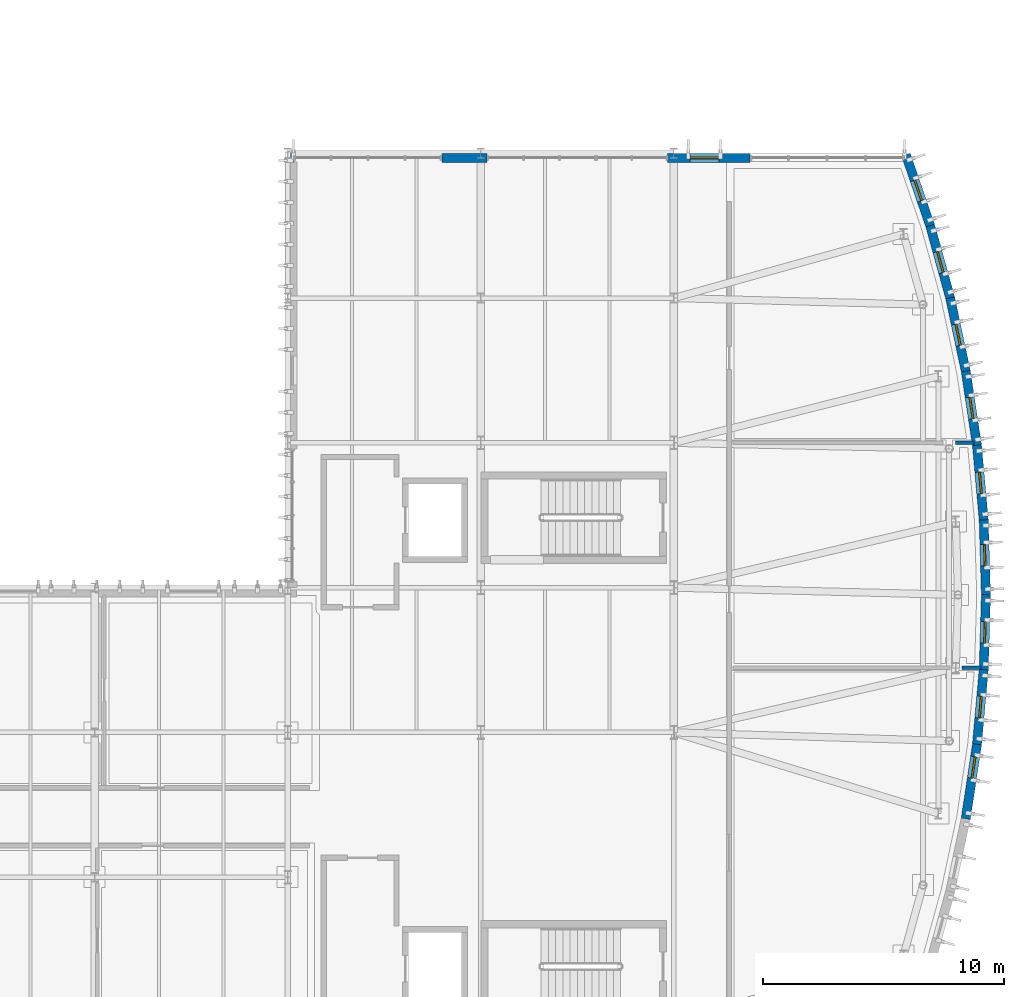
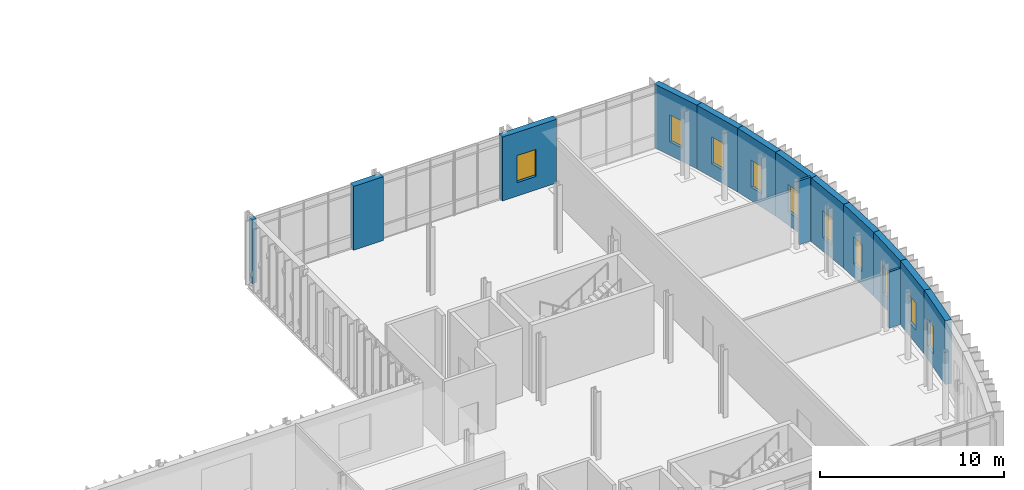
# One storey, part 76 of 100: 14 walls, 10 windows, 10 openings.
"""IFC4 building model written with IfcOpenShell, lengths in metres."""

from ifc_helpers import new_model, si_unit, direction, frame, frame_2d, origin, place, context, subcontext, project, spatial, rectangle, extrude, material, layer, layer_set, type_object, element, fill, save


model = new_model("IFC4")

# Units and contexts
model_context = context("Model", 3, precision=1e-05, world=origin(), true_north=direction((0.0, 1.0)))
body_context = subcontext(model_context, "Body", "Model", "MODEL_VIEW")
ifc_project = project(units=[si_unit("LENGTHUNIT", "METRE"), si_unit("AREAUNIT", "SQUARE_METRE"), si_unit("VOLUMEUNIT", "CUBIC_METRE"), si_unit("PLANEANGLEUNIT", "RADIAN"), si_unit("MASSUNIT", "GRAM", prefix="KILO")], contexts=[model_context])

# Site, building, storey
site_placement = place(None, origin())
site = spatial("IfcSite", under=ifc_project, at=site_placement, CompositionType="ELEMENT")
building_placement = place(site_placement, origin())
building = spatial("IfcBuilding", under=site, at=building_placement, Name="Cymarion Research Institute", CompositionType="ELEMENT")
storey_placement = place(building_placement, frame((0.0, 0.0, 9.300048828125)))
storey = spatial("IfcBuildingStorey", under=building, at=storey_placement, Name="L02", CompositionType="ELEMENT", Elevation=9.300048828125)

# Wall, opening, window
ifc_material_1 = material(Name="Precast concrete C40/50", Category="concrete")
ifc_layer_1 = layer(ifc_material_1, 0.3798828125)
ifc_layer_set_1 = layer_set([ifc_layer_1], Name="Precast concrete C40/50")
wall_type_1 = type_object("IfcWallType", Name="EXTERIOR WALL EW-PC380 380MM", PredefinedType="SOLIDWALL", material=ifc_layer_set_1)
wall_1_placement = place(storey_placement, frame((166.698486328125, 13.91650390625, 0.0), z_axis=(0.0, 0.0, 1.0), x_axis=(0.149218139282, 0.988804301624, 0.0)))
wall_1 = element("IfcWall", 1, at=wall_1_placement, inside=storey, type_object=wall_type_1, Name="L02 V1 exterior wall EW-PC380 #122", PredefinedType="SOLIDWALL", context=body_context, shape_type="SweptSolid", body=[
    extrude(rectangle(XDim=3.128173828125, YDim=0.3798828125, at=frame_2d((1.56396484375, 0.0))), origin(), (0.0, 0.0, 1.0), 4.25),
])
opening_1_placement = place(wall_1_placement, frame((1.7060546875, 0.0, 0.89990234375)))
opening_1 = element("IfcOpeningElement", 2, at=opening_1_placement, cuts=wall_1, Name="Opening W24", PredefinedType="OPENING", context=body_context, shape_type="SweptSolid", body=[
    extrude(rectangle(XDim=0.89990234375, YDim=1.800048828125, at=frame_2d((0.449951171875, 0.89990234375))), frame((0.0, 0.199951171875, 0.0), z_axis=(0.0, -1.0, 0.0), x_axis=(1.0, 0.0, 0.0)), (0.0, 0.0, 1.0), 0.39990234375),
])
ifc_material_2 = material(Name="Thermally broken aluminium window with Low-E glazing", Category="aluminium")
window_type_1 = type_object("IfcWindowType", Name="THERMALLY BROKEN ALUMINIUM WINDOW W24 900X1800", PartitioningType="SINGLE_PANEL", PredefinedType="WINDOW", material=ifc_material_2)
window_1_placement = place(opening_1_placement, origin())
window_1 = element("IfcWindow", 3, at=window_1_placement, inside=storey, type_object=window_type_1, Name="L02 V1 facade window W24 #230", OverallHeight=1.800048828125, OverallWidth=0.89990234375, PartitioningType="SINGLE_PANEL", PredefinedType="WINDOW", context=body_context, shape_type="SweptSolid", body=[
    extrude(rectangle(XDim=0.89990234375, YDim=1.800048828125, at=frame_2d((0.449951171875, 0.89990234375))), frame((0.0, 0.030029296875, 0.0), z_axis=(0.0, -1.0, 0.0), x_axis=(1.0, 0.0, 0.0)), (0.0, 0.0, 1.0), 0.06005859375),
])
fill(opening_1, window_1)

wall_2_placement = place(storey_placement, frame((167.1630859375, 16.986572265625, 0.0), z_axis=(0.0, 0.0, 1.0), x_axis=(0.089747627339, 0.995964539222, 0.0)))
wall_2 = element("IfcWall", 4, at=wall_2_placement, inside=storey, type_object=wall_type_1, Name="L02 V1 exterior wall EW-PC380 #123", PredefinedType="SOLIDWALL", context=body_context, shape_type="SweptSolid", body=[
    extrude(rectangle(XDim=3.12841796875, YDim=0.3798828125, at=frame_2d((1.564208984375, 0.0))), origin(), (0.0, 0.0, 1.0), 4.25),
])
opening_2_placement = place(wall_2_placement, frame((1.114013671875, 0.0, 0.89990234375)))
opening_2 = element("IfcOpeningElement", 5, at=opening_2_placement, cuts=wall_2, Name="Opening W24", PredefinedType="OPENING", context=body_context, shape_type="SweptSolid", body=[
    extrude(rectangle(XDim=0.89990234375, YDim=1.800048828125, at=frame_2d((0.449951171875, 0.89990234375))), frame((0.0, 0.199951171875, 0.0), z_axis=(0.0, -1.0, 0.0), x_axis=(1.0, 0.0, 0.0)), (0.0, 0.0, 1.0), 0.39990234375),
])
window_2_placement = place(opening_2_placement, origin())
window_2 = element("IfcWindow", 6, at=window_2_placement, inside=storey, type_object=window_type_1, Name="L02 V1 facade window W24 #231", OverallHeight=1.800048828125, OverallWidth=0.89990234375, PartitioningType="SINGLE_PANEL", PredefinedType="WINDOW", context=body_context, shape_type="SweptSolid", body=[
    extrude(rectangle(XDim=0.89990234375, YDim=1.800048828125, at=frame_2d((0.449951171875, 0.89990234375))), frame((0.0, 0.030029296875, 0.0), z_axis=(0.0, -1.0, 0.0), x_axis=(1.0, 0.0, 0.0)), (0.0, 0.0, 1.0), 0.06005859375),
])
fill(opening_2, window_2)

wall_3_placement = place(storey_placement, frame((167.44287109375, 20.078857421875, 0.0), z_axis=(0.0, 0.0, 1.0), x_axis=(0.02996779607, 0.999550864738, 0.0)))
wall_3 = element("IfcWall", 7, at=wall_3_placement, inside=storey, type_object=wall_type_1, Name="L02 V1 exterior wall EW-PC380 #124", PredefinedType="SOLIDWALL", context=body_context, shape_type="SweptSolid", body=[
    extrude(rectangle(XDim=3.12841796875, YDim=0.3798828125, at=frame_2d((1.564208984375, 0.0))), origin(), (0.0, 0.0, 1.0), 4.25),
])
opening_3_placement = place(wall_3_placement, frame((1.114013671875, 0.0, 0.89990234375)))
opening_3 = element("IfcOpeningElement", 8, at=opening_3_placement, cuts=wall_3, Name="Opening W24", PredefinedType="OPENING", context=body_context, shape_type="SweptSolid", body=[
    extrude(rectangle(XDim=0.89990234375, YDim=1.800048828125, at=frame_2d((0.449951171875, 0.89990234375))), frame((0.0, 0.199951171875, 0.0), z_axis=(0.0, -1.0, 0.0), x_axis=(1.0, 0.0, 0.0)), (0.0, 0.0, 1.0), 0.39990234375),
])
window_3_placement = place(opening_3_placement, origin())
window_3 = element("IfcWindow", 9, at=window_3_placement, inside=storey, type_object=window_type_1, Name="L02 V1 facade window W24 #232", OverallHeight=1.800048828125, OverallWidth=0.89990234375, PartitioningType="SINGLE_PANEL", PredefinedType="WINDOW", context=body_context, shape_type="SweptSolid", body=[
    extrude(rectangle(XDim=0.89990234375, YDim=1.800048828125, at=frame_2d((0.449951171875, 0.89990234375))), frame((0.0, 0.030029296875, 0.0), z_axis=(0.0, -1.0, 0.0), x_axis=(1.0, 0.0, 0.0)), (0.0, 0.0, 1.0), 0.06005859375),
])
fill(opening_3, window_3)

wall_4_placement = place(storey_placement, frame((167.536865234375, 23.182373046875, 0.0), z_axis=(0.0, 0.0, 1.0), x_axis=(-0.029970133922, 0.999550794644, 0.0)))
wall_4 = element("IfcWall", 10, at=wall_4_placement, inside=storey, type_object=wall_type_1, Name="L02 V1 exterior wall EW-PC380 #125", PredefinedType="SOLIDWALL", context=body_context, shape_type="SweptSolid", body=[
    extrude(rectangle(XDim=3.128173828125, YDim=0.3798828125, at=frame_2d((1.56396484375, 0.0))), origin(), (0.0, 0.0, 1.0), 4.25),
])
opening_4_placement = place(wall_4_placement, frame((1.214111328125, 0.0, 0.89990234375)))
opening_4 = element("IfcOpeningElement", 11, at=opening_4_placement, cuts=wall_4, Name="Opening W24", PredefinedType="OPENING", context=body_context, shape_type="SweptSolid", body=[
    extrude(rectangle(XDim=0.89990234375, YDim=1.800048828125, at=frame_2d((0.449951171875, 0.89990234375))), frame((0.0, 0.199951171875, 0.0), z_axis=(0.0, -1.0, 0.0), x_axis=(1.0, 0.0, 0.0)), (0.0, 0.0, 1.0), 0.39990234375),
])
window_4_placement = place(opening_4_placement, origin())
window_4 = element("IfcWindow", 12, at=window_4_placement, inside=storey, type_object=window_type_1, Name="L02 V1 facade window W24 #233", OverallHeight=1.800048828125, OverallWidth=0.89990234375, PartitioningType="SINGLE_PANEL", PredefinedType="WINDOW", context=body_context, shape_type="SweptSolid", body=[
    extrude(rectangle(XDim=0.89990234375, YDim=1.800048828125, at=frame_2d((0.449951171875, 0.89990234375))), frame((0.0, 0.030029296875, 0.0), z_axis=(0.0, -1.0, 0.0), x_axis=(1.0, 0.0, 0.0)), (0.0, 0.0, 1.0), 0.06005859375),
])
fill(opening_4, window_4)

wall_5_placement = place(storey_placement, frame((167.44482421875, 26.285888671875, 0.0), z_axis=(0.0, 0.0, 1.0), x_axis=(-0.089747627339, 0.995964539222, 0.0)))
wall_5 = element("IfcWall", 13, at=wall_5_placement, inside=storey, type_object=wall_type_1, Name="L02 V1 exterior wall EW-PC380 #126", PredefinedType="SOLIDWALL", context=body_context, shape_type="SweptSolid", body=[
    extrude(rectangle(XDim=3.12841796875, YDim=0.3798828125, at=frame_2d((1.564208984375, 0.0))), origin(), (0.0, 0.0, 1.0), 4.25),
])
opening_5_placement = place(wall_5_placement, frame((1.114013671875, 0.0, 0.89990234375)))
opening_5 = element("IfcOpeningElement", 14, at=opening_5_placement, cuts=wall_5, Name="Opening W24", PredefinedType="OPENING", context=body_context, shape_type="SweptSolid", body=[
    extrude(rectangle(XDim=0.89990234375, YDim=1.800048828125, at=frame_2d((0.449951171875, 0.89990234375))), frame((0.0, 0.199951171875, 0.0), z_axis=(0.0, -1.0, 0.0), x_axis=(1.0, 0.0, 0.0)), (0.0, 0.0, 1.0), 0.39990234375),
])
window_5_placement = place(opening_5_placement, origin())
window_5 = element("IfcWindow", 15, at=window_5_placement, inside=storey, type_object=window_type_1, Name="L02 V1 facade window W24 #234", OverallHeight=1.800048828125, OverallWidth=0.89990234375, PartitioningType="SINGLE_PANEL", PredefinedType="WINDOW", context=body_context, shape_type="SweptSolid", body=[
    extrude(rectangle(XDim=0.89990234375, YDim=1.800048828125, at=frame_2d((0.449951171875, 0.89990234375))), frame((0.0, 0.030029296875, 0.0), z_axis=(0.0, -1.0, 0.0), x_axis=(1.0, 0.0, 0.0)), (0.0, 0.0, 1.0), 0.06005859375),
])
fill(opening_5, window_5)

wall_6_placement = place(storey_placement, frame((167.167236328125, 29.37841796875, 0.0), z_axis=(0.0, 0.0, 1.0), x_axis=(-0.149305964746, 0.988791044099, 0.0)))
wall_6 = element("IfcWall", 16, at=wall_6_placement, inside=storey, type_object=wall_type_1, Name="L02 V1 exterior wall EW-PC380 #127", PredefinedType="SOLIDWALL", context=body_context, shape_type="SweptSolid", body=[
    extrude(rectangle(XDim=3.128173828125, YDim=0.3798828125, at=frame_2d((1.56396484375, 0.0))), origin(), (0.0, 0.0, 1.0), 4.25),
])
opening_6_placement = place(wall_6_placement, frame((1.132080078125, 0.0, 0.89990234375)))
opening_6 = element("IfcOpeningElement", 17, at=opening_6_placement, cuts=wall_6, Name="Opening W24", PredefinedType="OPENING", context=body_context, shape_type="SweptSolid", body=[
    extrude(rectangle(XDim=0.89990234375, YDim=1.800048828125, at=frame_2d((0.449951171875, 0.89990234375))), frame((0.0, 0.199951171875, 0.0), z_axis=(0.0, -1.0, 0.0), x_axis=(1.0, 0.0, 0.0)), (0.0, 0.0, 1.0), 0.39990234375),
])
window_6_placement = place(opening_6_placement, origin())
window_6 = element("IfcWindow", 18, at=window_6_placement, inside=storey, type_object=window_type_1, Name="L02 V1 facade window W24 #235", OverallHeight=1.800048828125, OverallWidth=0.89990234375, PartitioningType="SINGLE_PANEL", PredefinedType="WINDOW", context=body_context, shape_type="SweptSolid", body=[
    extrude(rectangle(XDim=0.89990234375, YDim=1.800048828125, at=frame_2d((0.449951171875, 0.89990234375))), frame((0.0, 0.030029296875, 0.0), z_axis=(0.0, -1.0, 0.0), x_axis=(1.0, 0.0, 0.0)), (0.0, 0.0, 1.0), 0.06005859375),
])
fill(opening_6, window_6)

wall_7_placement = place(storey_placement, frame((166.704833984375, 32.448486328125, 0.0), z_axis=(0.0, 0.0, 1.0), x_axis=(-0.208212486116, 0.978083616377, 0.0)))
wall_7 = element("IfcWall", 19, at=wall_7_placement, inside=storey, type_object=wall_type_1, Name="L02 V1 exterior wall EW-PC380 #128", PredefinedType="SOLIDWALL", context=body_context, shape_type="SweptSolid", body=[
    extrude(rectangle(XDim=3.12841796875, YDim=0.3798828125, at=frame_2d((1.564208984375, 0.0))), origin(), (0.0, 0.0, 1.0), 4.25),
])
opening_7_placement = place(wall_7_placement, frame((1.114013671875, 0.0, 0.89990234375)))
opening_7 = element("IfcOpeningElement", 20, at=opening_7_placement, cuts=wall_7, Name="Opening W24", PredefinedType="OPENING", context=body_context, shape_type="SweptSolid", body=[
    extrude(rectangle(XDim=0.89990234375, YDim=1.800048828125, at=frame_2d((0.449951171875, 0.89990234375))), frame((0.0, 0.199951171875, 0.0), z_axis=(0.0, -1.0, 0.0), x_axis=(1.0, 0.0, 0.0)), (0.0, 0.0, 1.0), 0.39990234375),
])
window_7_placement = place(opening_7_placement, origin())
window_7 = element("IfcWindow", 21, at=window_7_placement, inside=storey, type_object=window_type_1, Name="L02 V1 facade window W24 #236", OverallHeight=1.800048828125, OverallWidth=0.89990234375, PartitioningType="SINGLE_PANEL", PredefinedType="WINDOW", context=body_context, shape_type="SweptSolid", body=[
    extrude(rectangle(XDim=0.89990234375, YDim=1.800048828125, at=frame_2d((0.449951171875, 0.89990234375))), frame((0.0, 0.030029296875, 0.0), z_axis=(0.0, -1.0, 0.0), x_axis=(1.0, 0.0, 0.0)), (0.0, 0.0, 1.0), 0.06005859375),
])
fill(opening_7, window_7)

wall_8_placement = place(storey_placement, frame((166.059326171875, 35.485595703125, 0.0), z_axis=(0.0, 0.0, 1.0), x_axis=(-0.26649659626, 0.963835859564, 0.0)))
wall_8 = element("IfcWall", 22, at=wall_8_placement, inside=storey, type_object=wall_type_1, Name="L02 V1 exterior wall EW-PC380 #129", PredefinedType="SOLIDWALL", context=body_context, shape_type="SweptSolid", body=[
    extrude(rectangle(XDim=3.12841796875, YDim=0.3798828125, at=frame_2d((1.564208984375, 0.0))), origin(), (0.0, 0.0, 1.0), 4.25),
])
opening_8_placement = place(wall_8_placement, frame((1.114013671875, 0.0, 0.89990234375)))
opening_8 = element("IfcOpeningElement", 23, at=opening_8_placement, cuts=wall_8, Name="Opening W24", PredefinedType="OPENING", context=body_context, shape_type="SweptSolid", body=[
    extrude(rectangle(XDim=0.89990234375, YDim=1.800048828125, at=frame_2d((0.449951171875, 0.89990234375))), frame((0.0, 0.199951171875, 0.0), z_axis=(0.0, -1.0, 0.0), x_axis=(1.0, 0.0, 0.0)), (0.0, 0.0, 1.0), 0.39990234375),
])
window_8_placement = place(opening_8_placement, origin())
window_8 = element("IfcWindow", 24, at=window_8_placement, inside=storey, type_object=window_type_1, Name="L02 V1 facade window W24 #237", OverallHeight=1.800048828125, OverallWidth=0.89990234375, PartitioningType="SINGLE_PANEL", PredefinedType="WINDOW", context=body_context, shape_type="SweptSolid", body=[
    extrude(rectangle(XDim=0.89990234375, YDim=1.800048828125, at=frame_2d((0.449951171875, 0.89990234375))), frame((0.0, 0.030029296875, 0.0), z_axis=(0.0, -1.0, 0.0), x_axis=(1.0, 0.0, 0.0)), (0.0, 0.0, 1.0), 0.06005859375),
])
fill(opening_8, window_8)

wall_9_placement = place(storey_placement, frame((165.23291015625, 38.478515625, 0.0), z_axis=(0.0, 0.0, 1.0), x_axis=(-0.323709741108, 0.946156437124, 0.0)))
wall_9 = element("IfcWall", 25, at=wall_9_placement, inside=storey, type_object=wall_type_1, Name="L02 V1 exterior wall EW-PC380 #130", PredefinedType="SOLIDWALL", context=body_context, shape_type="SweptSolid", body=[
    extrude(rectangle(XDim=3.12841796875, YDim=0.3798828125, at=frame_2d((1.564208984375, 0.0))), origin(), (0.0, 0.0, 1.0), 4.25),
])
opening_9_placement = place(wall_9_placement, frame((1.114013671875, 0.0, 0.89990234375)))
opening_9 = element("IfcOpeningElement", 26, at=opening_9_placement, cuts=wall_9, Name="Opening W24", PredefinedType="OPENING", context=body_context, shape_type="SweptSolid", body=[
    extrude(rectangle(XDim=0.89990234375, YDim=1.800048828125, at=frame_2d((0.449951171875, 0.89990234375))), frame((0.0, 0.199951171875, 0.0), z_axis=(0.0, -1.0, 0.0), x_axis=(1.0, 0.0, 0.0)), (0.0, 0.0, 1.0), 0.39990234375),
])
window_9_placement = place(opening_9_placement, origin())
window_9 = element("IfcWindow", 27, at=window_9_placement, inside=storey, type_object=window_type_1, Name="L02 V1 facade window W24 #238", OverallHeight=1.800048828125, OverallWidth=0.89990234375, PartitioningType="SINGLE_PANEL", PredefinedType="WINDOW", context=body_context, shape_type="SweptSolid", body=[
    extrude(rectangle(XDim=0.89990234375, YDim=1.800048828125, at=frame_2d((0.449951171875, 0.89990234375))), frame((0.0, 0.030029296875, 0.0), z_axis=(0.0, -1.0, 0.0), x_axis=(1.0, 0.0, 0.0)), (0.0, 0.0, 1.0), 0.06005859375),
])
fill(opening_9, window_9)

wall_10_placement = place(storey_placement, frame((157.759765625, 41.31005859375, 0.0), z_axis=(0.0, 0.0, 1.0), x_axis=(-1.0, 0.0, 0.0)))
wall_10 = element("IfcWall", 28, at=wall_10_placement, inside=storey, type_object=wall_type_1, Name="L02 V1 facade pier wall EW-PC380 #131", PredefinedType="SOLIDWALL", context=body_context, shape_type="SweptSolid", body=[
    extrude(rectangle(XDim=3.419677734375, YDim=0.3798828125, at=frame_2d((1.7099609375, 0.0))), origin(), (0.0, 0.0, 1.0), 4.25),
])
opening_10_placement = place(wall_10_placement, frame((1.2900390625, 0.0, 0.89990234375)))
opening_10 = element("IfcOpeningElement", 29, at=opening_10_placement, cuts=wall_10, Name="Opening W01", PredefinedType="OPENING", context=body_context, shape_type="SweptSolid", body=[
    extrude(rectangle(XDim=1.199951171875, YDim=1.800048828125, at=frame_2d((0.60009765625, 0.89990234375))), frame((0.0, 0.199951171875, 0.0), z_axis=(0.0, -1.0, 0.0), x_axis=(1.0, 0.0, 0.0)), (0.0, 0.0, 1.0), 0.39990234375),
])
window_type_2 = type_object("IfcWindowType", Name="THERMALLY BROKEN ALUMINIUM WINDOW W01 1200X1800", PartitioningType="SINGLE_PANEL", PredefinedType="WINDOW", material=ifc_material_2)
window_10_placement = place(opening_10_placement, origin())
window_10 = element("IfcWindow", 30, at=window_10_placement, inside=storey, type_object=window_type_2, Name="L02 V1 facade window W01 #239", OverallHeight=1.800048828125, OverallWidth=1.199951171875, PartitioningType="SINGLE_PANEL", PredefinedType="WINDOW", context=body_context, shape_type="SweptSolid", body=[
    extrude(rectangle(XDim=1.199951171875, YDim=1.800048828125, at=frame_2d((0.60009765625, 0.89990234375))), frame((0.0, 0.030029296875, 0.0), z_axis=(0.0, -1.0, 0.0), x_axis=(1.0, 0.0, 0.0)), (0.0, 0.0, 1.0), 0.06005859375),
])
fill(opening_10, window_10)

# Walls
wall_11_placement = place(storey_placement, frame((146.860107421875, 41.31005859375, 0.0), z_axis=(0.0, 0.0, 1.0), x_axis=(-1.0, 0.0, 0.0)))
element("IfcWall", 31, at=wall_11_placement, inside=storey, type_object=wall_type_1, Name="L02 V1 facade pier wall EW-PC380 #132", PredefinedType="SOLIDWALL", context=body_context, shape_type="SweptSolid", body=[
    extrude(rectangle(XDim=1.87353515625, YDim=0.3798828125, at=frame_2d((0.936767578125, 0.0))), origin(), (0.0, 0.0, 1.0), 4.25),
])
wall_12_placement = place(storey_placement, frame((138.860107421875, 41.31005859375, 0.0), z_axis=(0.0, 0.0, 1.0), x_axis=(-1.0, 0.0, 0.0)))
element("IfcWall", 32, at=wall_12_placement, inside=storey, type_object=wall_type_1, Name="L02 V1 facade pier wall EW-PC380 #133", PredefinedType="SOLIDWALL", context=body_context, shape_type="SweptSolid", body=[
    extrude(rectangle(XDim=0.260009765625, YDim=0.3798828125, at=frame_2d((0.1298828125, 0.0))), origin(), (0.0, 0.0, 1.0), 4.25),
])
ifc_material_3 = material(Name="Gypsum acoustic double-stud partition", Category="gypsum")
ifc_layer_2 = layer(ifc_material_3, 0.14990234375)
ifc_layer_set_2 = layer_set([ifc_layer_2], Name="Gypsum acoustic double-stud partition")
wall_type_2 = type_object("IfcWallType", Name="INTERIOR PARTITION IW-AC150 150MM", PredefinedType="PARTITIONING", material=ifc_layer_set_2)
wall_13_placement = place(storey_placement, frame((166.535400390625, 20.179931640625, 0.0), z_axis=(0.0, 0.0, 1.0), x_axis=(1.0, 0.0, 0.0)))
element("IfcWall", 33, at=wall_13_placement, inside=storey, type_object=wall_type_2, Name="L02 V1 interior partition IW-AC150 #174", PredefinedType="PARTITIONING", context=body_context, shape_type="SweptSolid", body=[
    extrude(rectangle(XDim=0.79541015625, YDim=0.14990234375, at=frame_2d((0.397705078125, 0.0))), origin(), (0.0, 0.0, 1.0), 3.75),
])
wall_14_placement = place(storey_placement, frame((166.262939453125, 29.5, 0.0), z_axis=(0.0, 0.0, 1.0), x_axis=(1.0, 0.0, 0.0)))
element("IfcWall", 34, at=wall_14_placement, inside=storey, type_object=wall_type_2, Name="L02 V1 interior partition IW-AC150 #176", PredefinedType="PARTITIONING", context=body_context, shape_type="SweptSolid", body=[
    extrude(rectangle(XDim=0.769775390625, YDim=0.14990234375, at=frame_2d((0.384765625, 0.0))), origin(), (0.0, 0.0, 1.0), 4.25),
])

save(model, "model.ifc")
